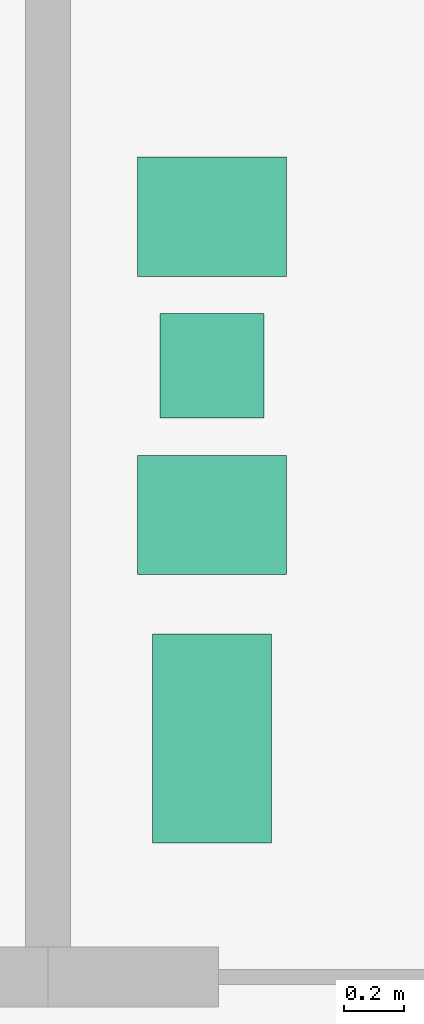
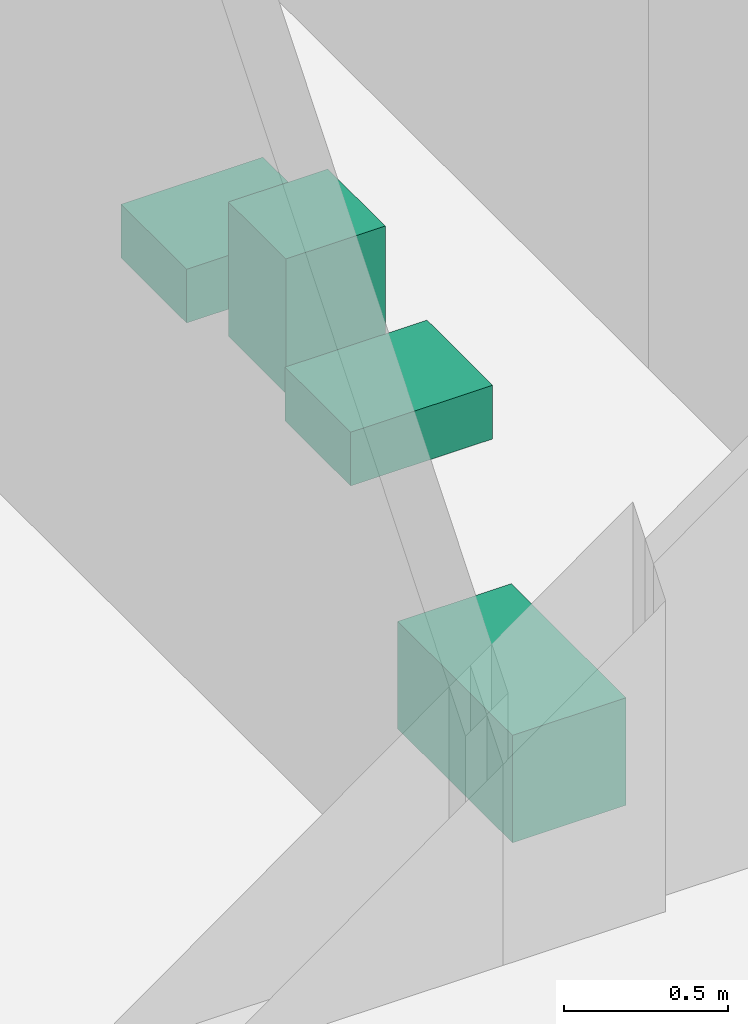
# One storey, part 13 of 13: 4 sanitary terminals.
"""IFC4 building model written with IfcOpenShell, lengths in metres."""

from ifc_helpers import new_model, si_unit, direction, frame, origin, origin_2d, place, context, subcontext, project, spatial, rectangle, extrude, material, type_object, element, save


model = new_model("IFC4")

# Units and contexts
model_context = context("Model", 3, precision=1e-05, world=origin(), true_north=direction((0.0, 1.0)))
body_context = subcontext(model_context, "Body", "Model", "MODEL_VIEW")
ifc_project = project(units=[si_unit("LENGTHUNIT", "METRE"), si_unit("AREAUNIT", "SQUARE_METRE"), si_unit("VOLUMEUNIT", "CUBIC_METRE"), si_unit("PLANEANGLEUNIT", "RADIAN"), si_unit("MASSUNIT", "GRAM", prefix="KILO")], contexts=[model_context])

# Site, building, storey
site_placement = place(None, origin())
site = spatial("IfcSite", under=ifc_project, at=site_placement, CompositionType="ELEMENT")
building_placement = place(site_placement, origin())
building = spatial("IfcBuilding", under=site, at=building_placement, Name="Ostrand Prow Hotel Tower", CompositionType="ELEMENT")
storey_placement = place(building_placement, frame((0.0, 0.0, 13.5)))
storey = spatial("IfcBuildingStorey", under=building, at=storey_placement, Name="L02", CompositionType="ELEMENT", Elevation=13.5)

# Sanitary terminals
ifc_material_1 = material(Name="Vitreous china")
sanitary_terminal_type_1 = type_object("IfcSanitaryTerminalType", Name="Urinal 350x350", PredefinedType="URINAL", material=ifc_material_1)
sanitary_terminal_1_placement = place(storey_placement, frame((73.1806640625, 6.188720703125, 0.800048828125), z_axis=(0.0, 0.0, 1.0), x_axis=(1.0, 0.0, 0.0)))
element("IfcSanitaryTerminal", 1, at=sanitary_terminal_1_placement, inside=storey, type_object=sanitary_terminal_type_1, Name="URINAL", PredefinedType="URINAL", context=body_context, shape_type="SweptSolid", body=[
    extrude(rectangle(XDim=0.35009765625, YDim=0.35009765625, at=origin_2d()), origin(), (0.0, 0.0, 1.0), 0.5),
])
ifc_material_2 = material(Name="Vitreous china")
sanitary_terminal_type_2 = type_object("IfcSanitaryTerminalType", Name="WC pan 360x700", PredefinedType="TOILETPAN", material=ifc_material_2)
sanitary_terminal_2_placement = place(storey_placement, frame((73.1806640625, 4.938720703125, 0.0), z_axis=(0.0, 0.0, 1.0), x_axis=(1.0, 0.0, 0.0)))
element("IfcSanitaryTerminal", 2, at=sanitary_terminal_2_placement, inside=storey, type_object=sanitary_terminal_type_2, Name="PAN", PredefinedType="TOILETPAN", context=body_context, shape_type="SweptSolid", body=[
    extrude(rectangle(XDim=0.39990234375, YDim=0.699951171875, at=origin_2d()), origin(), (0.0, 0.0, 1.0), 0.39990234375),
])
ifc_material_3 = material(Name="Vitreous china")
sanitary_terminal_type_3 = type_object("IfcSanitaryTerminalType", Name="Wash hand basin 500x400", PredefinedType="WASHHANDBASIN", material=ifc_material_3)
for number, where, z_axis, x_axis, name in (
    (3, (73.1806640625, 5.688720703125, 0.7998046875), (0.0, 0.0, 1.0), (1.0, 0.0, 0.0), "WASH HAND BASIN"),
    (4, (73.1806640625, 6.688720703125, 0.7998046875), (0.0, 0.0, 1.0), (1.0, 0.0, 0.0), "WASH HAND BASIN"),
):
    element("IfcSanitaryTerminal", number, at=place(storey_placement, frame(where, z_axis=z_axis, x_axis=x_axis)), inside=storey, type_object=sanitary_terminal_type_3, Name=name, PredefinedType="WASHHANDBASIN", context=body_context, shape_type="SweptSolid", body=[
        extrude(rectangle(XDim=0.5, YDim=0.39990234375, at=origin_2d()), origin(), (0.0, 0.0, 1.0), 0.199951171875),
    ])

save(model, "model.ifc")
